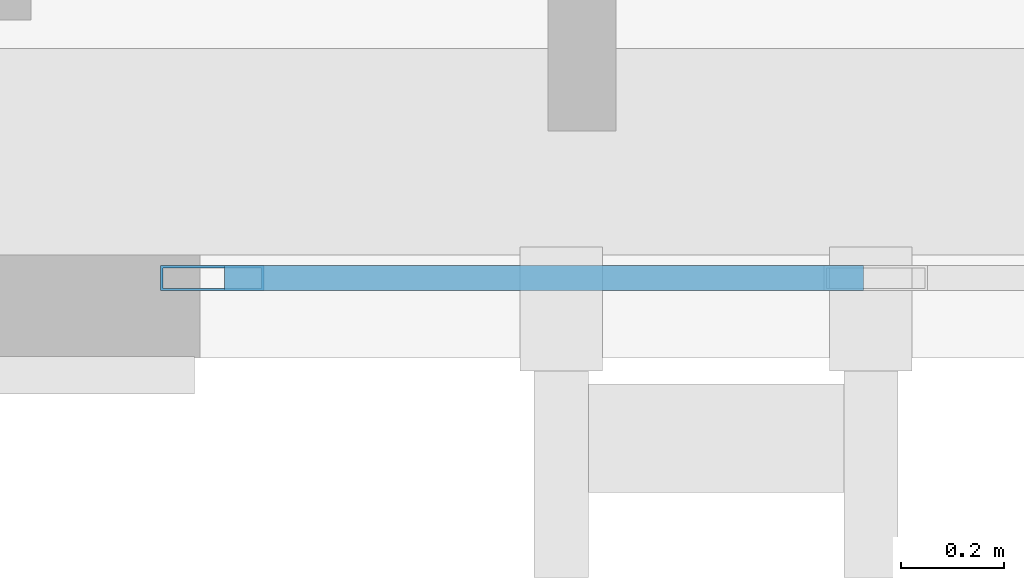
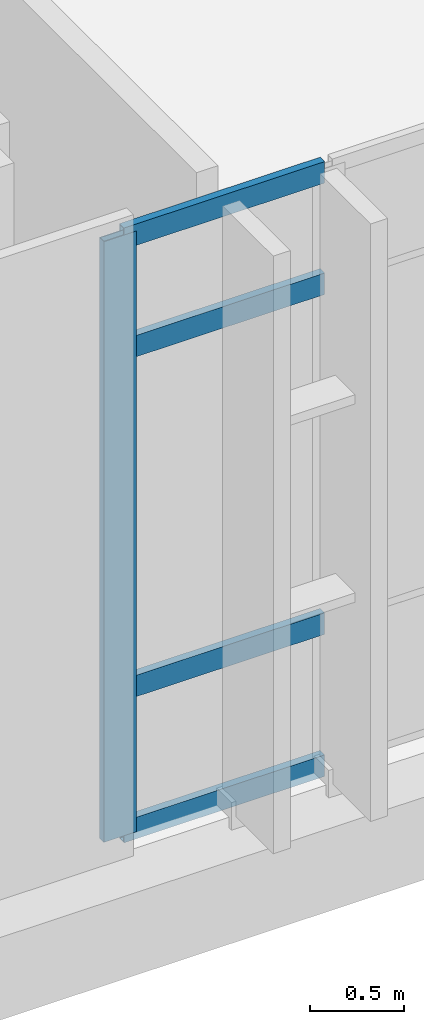
# One storey, part 9 of 193: 5 members, 1 element without a shape of its own.
"""IFC4 building model written with IfcOpenShell, lengths in metres."""

import ifcopenshell
import ifcopenshell.guid

model = None  # the IFC model being written
_history = None  # IfcOwnerHistory: only IFC2X3 demands one
_inside = {}  # id of a spatial element -> (the spatial element, [elements in it])
_under = {}  # id of a project, library or spatial element -> (it, [spatial elements below it])
_declared = {}  # id of a project -> (the project, [libraries it declares])
_typed = {}  # id of a type object -> (the type object, [elements of that type])
_made_of = {}  # id of a material, layer set ... -> (it, [elements and type objects made of it])


def new_model(schema):
    """Start an empty IFC model of exactly this schema.

    Asked for "IFC4X3", IfcOpenShell would pick the latest addendum, in which some entities
    have other attributes; the version numbers below select the first issue.
    IFC2X3 requires an IfcOwnerHistory on every rooted entity: one is made here for all.
    """
    global model, _history
    if schema == "IFC4X3":
        model = ifcopenshell.file(schema_version=(4, 3, 0, 0))
    else:
        model = ifcopenshell.file(schema=schema)
    _inside.clear()
    _under.clear()
    _declared.clear()
    _typed.clear()
    _made_of.clear()
    _history = None
    if model.schema == "IFC2X3":
        org = make("IfcOrganization", Name="unknown")
        user = make(
            "IfcPersonAndOrganization",
            ThePerson=make("IfcPerson", FamilyName="unknown"),
            TheOrganization=org,
        )
        app = make(
            "IfcApplication",
            ApplicationDeveloper=org,
            Version="unknown",
            ApplicationFullName="unknown",
            ApplicationIdentifier="unknown",
        )
        _history = make(
            "IfcOwnerHistory",
            OwningUser=user,
            OwningApplication=app,
            ChangeAction="ADDED",
            CreationDate=0,
        )
    return model


def make(cls, **values):
    """One entity of the class cls with the attributes given. An attribute that is None is left unset."""
    return model.create_entity(
        cls, **{name: value for name, value in values.items() if value is not None}
    )


def rooted(cls, **values):
    """An entity with a GlobalId (a new one), such as an element, a storey or a relation."""
    return make(cls, GlobalId=ifcopenshell.guid.new(), OwnerHistory=_history, **values)


def si_unit(unit_type, name, prefix=None):
    """IfcSIUnit, for example si_unit("LENGTHUNIT", "METRE", prefix="MILLI")."""
    return make("IfcSIUnit", UnitType=unit_type, Prefix=prefix, Name=name)


def assignment(units):
    """IfcUnitAssignment: the units of a project."""
    return None if units is None else make("IfcUnitAssignment", Units=units)


def point(xyz):
    """IfcCartesianPoint."""
    return None if xyz is None else make("IfcCartesianPoint", Coordinates=xyz)


def direction(xyz):
    """IfcDirection."""
    return None if xyz is None else make("IfcDirection", DirectionRatios=xyz)


def frame(location, z_axis=None, x_axis=None):
    """IfcAxis2Placement3D, a coordinate frame: its origin and axes. An axis left out is left unset."""
    return make(
        "IfcAxis2Placement3D",
        Location=point(location),
        Axis=direction(z_axis),
        RefDirection=direction(x_axis),
    )


def frame_2d(location, x_axis=None):
    """IfcAxis2Placement2D, a coordinate frame in the plane: its origin and x axis."""
    return make(
        "IfcAxis2Placement2D", Location=point(location), RefDirection=direction(x_axis)
    )


def origin():
    """The frame at (0, 0, 0) with its axes left unset."""
    return frame((0.0, 0.0, 0.0))


def origin_2d():
    """The frame at (0, 0) in the plane with its x axis left unset."""
    return frame_2d((0.0, 0.0))


def place(relative_to, where):
    """IfcLocalPlacement: puts the frame where relative to a parent placement (None: the world)."""
    return make(
        "IfcLocalPlacement", PlacementRelTo=relative_to, RelativePlacement=where
    )


def context(
    kind, dimensions, precision=None, world=None, true_north=None, identifier=None
):
    """IfcGeometricRepresentationContext, for example the 3D "Model" context."""
    return make(
        "IfcGeometricRepresentationContext",
        ContextIdentifier=identifier,
        ContextType=kind,
        CoordinateSpaceDimension=dimensions,
        Precision=precision,
        WorldCoordinateSystem=world,
        TrueNorth=true_north,
    )


def subcontext(parent, identifier, kind, view, scale=None):
    """IfcGeometricRepresentationSubContext, for example "Body" below "Model"."""
    return make(
        "IfcGeometricRepresentationSubContext",
        ContextIdentifier=identifier,
        ContextType=kind,
        ParentContext=parent,
        TargetScale=scale,
        TargetView=view,
    )


def project(units=None, contexts=None):
    """IfcProject with its units and contexts."""
    return rooted(
        "IfcProject",
        Name="project",
        RepresentationContexts=contexts,
        UnitsInContext=assignment(units),
    )


def spatial(cls, under=None, at=None, **own):
    """A site, building, storey or space (cls), placed at a placement, below another one or the project."""
    s = rooted(cls, ObjectPlacement=at, **own)
    if under is not None:
        _under.setdefault(under.id(), (under, []))[1].append(s)
    return s


def profile(cls, at=None, kind="AREA", **sizes):
    """A parametric profile (cls). Its sizes go by their IFC names, for example OverallWidth=200.0."""
    return make(cls, ProfileType=kind, Position=at, **sizes)


def hollow_rectangle(**sizes):
    """IfcRectangleHollowProfileDef."""
    return profile("IfcRectangleHollowProfileDef", **sizes)


def extrude(swept, where, along, depth):
    """IfcExtrudedAreaSolid: the profile swept, set in the frame where, extruded along a direction by depth."""
    return make(
        "IfcExtrudedAreaSolid",
        SweptArea=swept,
        Position=where,
        ExtrudedDirection=direction(along),
        Depth=depth,
    )


def shape(context_of_items, identifier, shape_type, items):
    """IfcShapeRepresentation: the items that make up one representation, for example the "Body"."""
    return make(
        "IfcShapeRepresentation",
        ContextOfItems=context_of_items,
        RepresentationIdentifier=identifier,
        RepresentationType=shape_type,
        Items=items,
    )


def material(Name=None, Category=None):
    """IfcMaterial."""
    return make("IfcMaterial", Name=Name, Category=Category)


def layer(
    of_material, thickness, ventilated=None, Name=None, Category=None, Priority=None
):
    """IfcMaterialLayer: one layer of a wall or slab, of a material (None: an air gap)."""
    return make(
        "IfcMaterialLayer",
        Material=of_material,
        LayerThickness=thickness,
        IsVentilated=ventilated,
        Name=Name,
        Category=Category,
        Priority=Priority,
    )


def layer_set(layers, Name=None):
    """IfcMaterialLayerSet."""
    return make("IfcMaterialLayerSet", MaterialLayers=layers, LayerSetName=Name)


def material_profile(
    of_material, cross_section, Name=None, Category=None, Priority=None
):
    """IfcMaterialProfile: a cross section and its material."""
    return make(
        "IfcMaterialProfile",
        Name=Name,
        Material=of_material,
        Profile=cross_section,
        Priority=Priority,
        Category=Category,
    )


def profile_set(profiles, Name=None, composite=None):
    """IfcMaterialProfileSet."""
    return make(
        "IfcMaterialProfileSet",
        Name=Name,
        MaterialProfiles=profiles,
        CompositeProfile=composite,
    )


def made_of(thing, what):
    """Note that an element or type object is made of a material, layer set ...; save() writes the relation."""
    if what is not None:
        _made_of.setdefault(what.id(), (what, []))[1].append(thing)
    return thing


def type_object(cls, material=None, **own):
    """A type object (cls), such as IfcWallType, which elements share."""
    return made_of(rooted(cls, **own), material)


def element(
    cls,
    number,
    at=None,
    inside=None,
    cuts=None,
    type_object=None,
    material=None,
    context=None,
    identifier="Body",
    shape_type=None,
    held_by="IfcProductDefinitionShape",
    body=None,
    shapes=None,
    **own,
):
    """One element of the class cls, such as IfcWall. Its Tag is "e" and its number.

    at: its placement. inside: the storey or other place that contains it. cuts: it is an
    opening in that element (IfcRelVoidsElement). A single representation is given by context,
    identifier, shape_type and body (its items); several are given by shapes. held_by: the class
    of the entity that holds the representations. save() writes the other relations.
    """
    e = rooted(cls, Tag="e%d" % number, ObjectPlacement=at, **own)
    if body is not None:
        shapes = [shape(context, identifier, shape_type, body)]
    if shapes is not None:
        e.Representation = make(held_by, Representations=shapes)
    if inside is not None:
        _inside.setdefault(inside.id(), (inside, []))[1].append(e)
    if cuts is not None:
        rooted(
            "IfcRelVoidsElement", RelatingBuildingElement=cuts, RelatedOpeningElement=e
        )
    if type_object is not None:
        _typed.setdefault(type_object.id(), (type_object, []))[1].append(e)
    return made_of(e, material)


def aggregate(whole, parts):
    """IfcRelAggregates: a whole, such as a stair, and the parts it consists of."""
    return rooted("IfcRelAggregates", RelatingObject=whole, RelatedObjects=parts)


def save(model, path):
    """Write the relations noted so far, then the file.

    IfcRelAggregates (storeys below a building ...), IfcRelContainedInSpatialStructure (elements
    in a storey), IfcRelDefinesByType, IfcRelAssociatesMaterial and IfcRelDeclares: one each for
    every whole, place, type object, material and project.
    """
    for whole, parts in _under.values():
        aggregate(whole, parts)
    for where, things in _inside.values():
        rooted(
            "IfcRelContainedInSpatialStructure",
            RelatedElements=things,
            RelatingStructure=where,
        )
    for kind, things in _typed.values():
        rooted("IfcRelDefinesByType", RelatedObjects=things, RelatingType=kind)
    for what, things in _made_of.values():
        rooted("IfcRelAssociatesMaterial", RelatedObjects=things, RelatingMaterial=what)
    for by, libraries in _declared.values():
        rooted("IfcRelDeclares", RelatingContext=by, RelatedDefinitions=libraries)
    model.write(path)


model = new_model("IFC4")

# Units and contexts
model_context = context("Model", 3, precision=1e-05, world=origin(), true_north=direction((0.0, 1.0)))
body_context = subcontext(model_context, "Body", "Model", "MODEL_VIEW")
ifc_project = project(units=[si_unit("LENGTHUNIT", "METRE"), si_unit("AREAUNIT", "SQUARE_METRE"), si_unit("VOLUMEUNIT", "CUBIC_METRE"), si_unit("PLANEANGLEUNIT", "RADIAN"), si_unit("MASSUNIT", "GRAM", prefix="KILO")], contexts=[model_context])

# Site, building, storey
site_placement = place(None, origin())
site = spatial("IfcSite", under=ifc_project, at=site_placement, CompositionType="ELEMENT")
building_placement = place(site_placement, origin())
building = spatial("IfcBuilding", under=site, at=building_placement, Name="Qalavern Law Courts", CompositionType="ELEMENT")
storey_placement = place(building_placement, frame((0.0, 0.0, 10.199951171875)))
storey = spatial("IfcBuildingStorey", under=building, at=storey_placement, Name="L02", CompositionType="ELEMENT", Elevation=10.199951171875)

# Curtain wall, members
ifc_material_1 = material(Name="Anodised aluminium and insulated glazing", Category="aluminium")
ifc_layer = layer(ifc_material_1, 0.18505859375)
ifc_layer_set = layer_set([ifc_layer], Name="Anodised aluminium and insulated glazing")
curtain_wall_type = type_object("IfcCurtainWallType", Name="ENV-CW-HALL", PredefinedType="USERDEFINED", material=ifc_layer_set)
curtain_wall_placement = place(storey_placement, origin())
curtain_wall = element("IfcCurtainWall", 1, at=curtain_wall_placement, inside=storey, type_object=curtain_wall_type, Name="V2 unitised curtain wall L02 south 1", ObjectType="UNITISED CURTAIN WALL", PredefinedType="USERDEFINED")
ifc_material_2 = material(Name="Anodised aluminium", Category="aluminium")
ifc_material_profile_1 = material_profile(ifc_material_2, hollow_rectangle(XDim=0.048095703125, YDim=0.199951171875, WallThickness=0.00439453125, at=origin_2d()), Name="ALU MULLION 48x200")
ifc_profile_set_1 = profile_set([ifc_material_profile_1], Name="Anodised aluminium")
member_type_1 = type_object("IfcMemberType", Name="ENV-CWM-48x200", PredefinedType="MULLION", material=ifc_profile_set_1)
member_1_placement = place(storey_placement, frame((49.1240234375, 5.35498046875, 0.0), z_axis=(0.0, 0.0, 1.0), x_axis=(0.0, 1.0, 0.0)))
member_1 = element("IfcMember", 2, at=member_1_placement, type_object=member_type_1, Name="CW-02 mullion 1", PredefinedType="MULLION", context=body_context, shape_type="SweptSolid", body=[
    extrude(hollow_rectangle(XDim=0.048095703125, YDim=0.199951171875, WallThickness=0.00439453125, at=origin_2d()), origin(), (0.0, 0.0, 1.0), 3.9150390625),
])
ifc_material_profile_2 = material_profile(ifc_material_2, hollow_rectangle(XDim=0.048095703125, YDim=0.139892578125, WallThickness=0.00390625, at=origin_2d()), Name="ALU TRANSOM 48x140")
ifc_profile_set_2 = profile_set([ifc_material_profile_2], Name="Anodised aluminium")
member_type_2 = type_object("IfcMemberType", Name="ENV-CWT-48x140", PredefinedType="USERDEFINED", material=ifc_profile_set_2)
member_2_placement = place(storey_placement, frame((49.14794921875, 5.35498046875, 0.024169921875), z_axis=(1.0, 0.0, 0.0), x_axis=(0.0, 1.0, 0.0)))
member_2 = element("IfcMember", 3, at=member_2_placement, type_object=member_type_2, Name="CW-02 transom 1.1", ObjectType="TRANSOM", PredefinedType="USERDEFINED", context=body_context, shape_type="SweptSolid", body=[
    extrude(hollow_rectangle(XDim=0.048095703125, YDim=0.139892578125, WallThickness=0.00390625, at=origin_2d()), origin(), (0.0, 0.0, 1.0), 1.237548828125),
])
member_3_placement = place(storey_placement, frame((49.14794921875, 5.35498046875, 0.949951171875), z_axis=(1.0, 0.0, 0.0), x_axis=(0.0, 1.0, 0.0)))
member_3 = element("IfcMember", 4, at=member_3_placement, type_object=member_type_2, Name="CW-02 transom 1.2", ObjectType="TRANSOM", PredefinedType="USERDEFINED", context=body_context, shape_type="SweptSolid", body=[
    extrude(hollow_rectangle(XDim=0.048095703125, YDim=0.139892578125, WallThickness=0.00390625, at=origin_2d()), origin(), (0.0, 0.0, 1.0), 1.237548828125),
])
member_4_placement = place(storey_placement, frame((49.14794921875, 5.35498046875, 3.1650390625), z_axis=(1.0, 0.0, 0.0), x_axis=(0.0, 1.0, 0.0)))
member_4 = element("IfcMember", 5, at=member_4_placement, type_object=member_type_2, Name="CW-02 transom 1.3", ObjectType="TRANSOM", PredefinedType="USERDEFINED", context=body_context, shape_type="SweptSolid", body=[
    extrude(hollow_rectangle(XDim=0.048095703125, YDim=0.139892578125, WallThickness=0.00390625, at=origin_2d()), origin(), (0.0, 0.0, 1.0), 1.237548828125),
])
member_5_placement = place(storey_placement, frame((49.14794921875, 5.35498046875, 3.89111328125), z_axis=(1.0, 0.0, 0.0), x_axis=(0.0, 1.0, 0.0)))
member_5 = element("IfcMember", 6, at=member_5_placement, type_object=member_type_2, Name="CW-02 transom 1.4", ObjectType="TRANSOM", PredefinedType="USERDEFINED", context=body_context, shape_type="SweptSolid", body=[
    extrude(hollow_rectangle(XDim=0.048095703125, YDim=0.139892578125, WallThickness=0.00390625, at=origin_2d()), origin(), (0.0, 0.0, 1.0), 1.237548828125),
])
aggregate(curtain_wall, [member_1, member_2, member_3, member_4, member_5])

save(model, "model.ifc")
